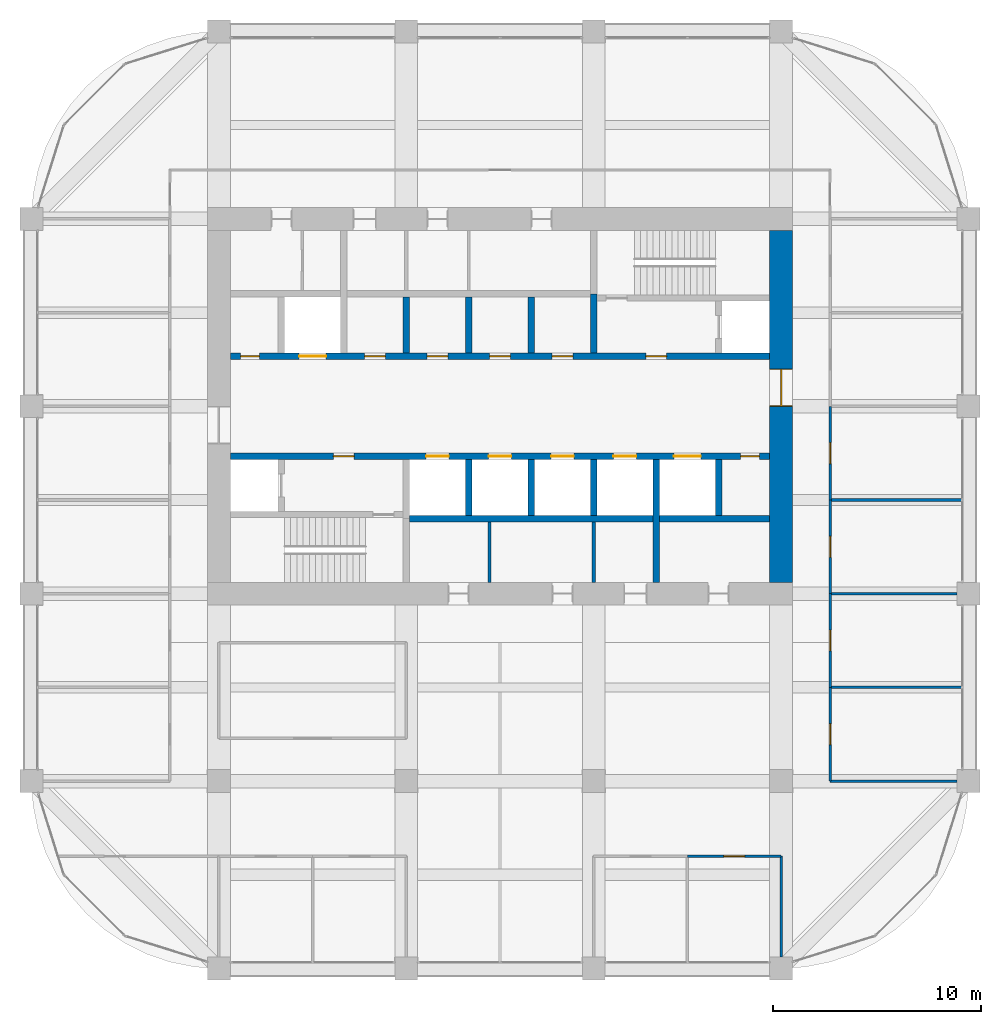
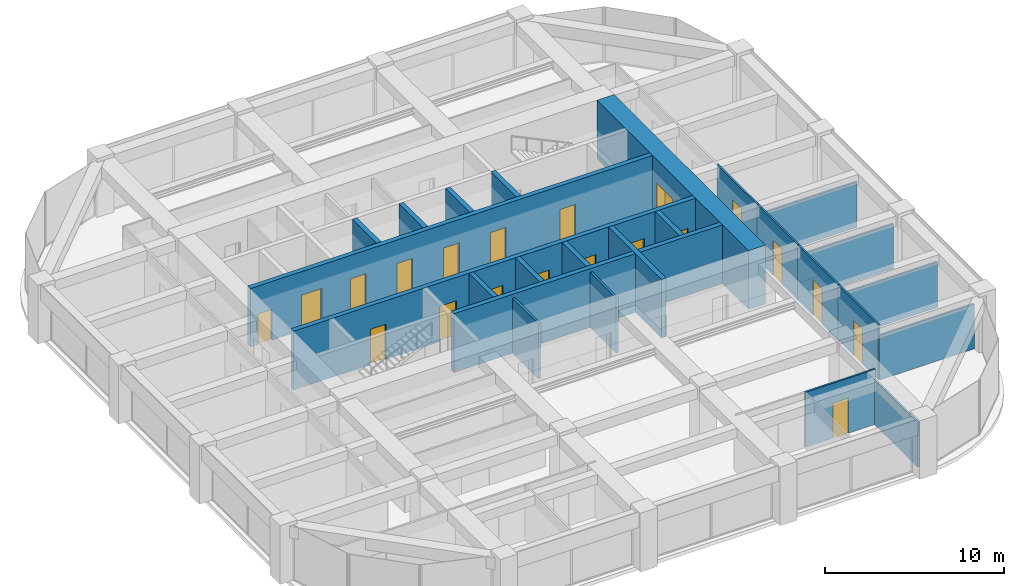
# One storey, part 42 of 44: 25 walls, 20 doors, 20 openings.
"""IFC4 building model written with IfcOpenShell, lengths in metres."""

from ifc_helpers import new_model, si_unit, direction, frame, frame_2d, origin, place, context, subcontext, project, spatial, rectangle, extrude, material, layer, layer_set, type_object, element, fill, save


model = new_model("IFC4")

# Units and contexts
model_context = context("Model", 3, precision=1e-05, world=origin(), true_north=direction((0.0, 1.0)))
body_context = subcontext(model_context, "Body", "Model", "MODEL_VIEW")
ifc_project = project(units=[si_unit("LENGTHUNIT", "METRE"), si_unit("AREAUNIT", "SQUARE_METRE"), si_unit("VOLUMEUNIT", "CUBIC_METRE"), si_unit("PLANEANGLEUNIT", "RADIAN"), si_unit("MASSUNIT", "GRAM", prefix="KILO")], contexts=[model_context])

# Site, building, storey
site_placement = place(None, origin())
site = spatial("IfcSite", under=ifc_project, at=site_placement, CompositionType="ELEMENT")
building_placement = place(site_placement, origin())
building = spatial("IfcBuilding", under=site, at=building_placement, Name="Zorevar Civic Tower", CompositionType="ELEMENT")
storey_placement = place(building_placement, frame((0.0, 0.0, 259.39990234375)))
storey = spatial("IfcBuildingStorey", under=building, at=storey_placement, Name="L63", CompositionType="ELEMENT", Elevation=259.39990234375)

# Wall, opening, door
ifc_material_1 = material(Name="Concrete C50/60", Category="concrete")
ifc_layer_1 = layer(ifc_material_1, 1.10009765625)
ifc_layer_set_1 = layer_set([ifc_layer_1], Name="Core wall 1100")
wall_type_1 = type_object("IfcWallType", Name="Core wall 1100", PredefinedType="SHEAR", material=ifc_layer_set_1)
wall_1_placement = place(storey_placement, frame((45.0, 18.550048828125, 0.0), z_axis=(0.0, 0.0, 1.0), x_axis=(0.0, 1.0, 0.0)))
wall_1 = element("IfcWall", 1, at=wall_1_placement, inside=storey, type_object=wall_type_1, Name="Core wall E L63", PredefinedType="SHEAR", context=body_context, shape_type="SweptSolid", body=[
    extrude(rectangle(XDim=16.89990234375, YDim=1.10009765625, at=frame_2d((8.449951171875, 0.0))), origin(), (0.0, 0.0, 1.0), 4.0),
])
opening_1_placement = place(wall_1_placement, frame((8.449951171875, 0.0, 0.0)))
opening_1 = element("IfcOpeningElement", 2, at=opening_1_placement, cuts=wall_1, Name="Opening L63.02", PredefinedType="OPENING", context=body_context, shape_type="SweptSolid", body=[
    extrude(rectangle(XDim=1.800048828125, YDim=2.39990234375, at=frame_2d((0.89990234375, 1.199951171875))), frame((0.0, 0.56005859375, 0.0), z_axis=(0.0, -1.0, 0.0), x_axis=(1.0, 0.0, 0.0)), (0.0, 0.0, 1.0), 1.1201171875),
])
ifc_material_2 = material(Name="Steel door set", Category="steel")
door_type_1 = type_object("IfcDoorType", Name="Fire door FD2 1800x2400", OperationType="DOUBLE_DOOR_DOUBLE_SWING", PredefinedType="DOOR", material=ifc_material_2)
door_1_placement = place(opening_1_placement, origin())
door_1 = element("IfcDoor", 3, at=door_1_placement, inside=storey, type_object=door_type_1, Name="Door L63 01", OperationType="DOUBLE_DOOR_DOUBLE_SWING", OverallHeight=2.39990234375, OverallWidth=1.800048828125, PredefinedType="DOOR", context=body_context, shape_type="SweptSolid", body=[
    extrude(rectangle(XDim=1.800048828125, YDim=2.39990234375, at=frame_2d((0.89990234375, 1.199951171875))), frame((0.0, 0.030029296875, 0.0), z_axis=(0.0, -1.0, 0.0), x_axis=(1.0, 0.0, 0.0)), (0.0, 0.0, 1.0), 0.06005859375),
    extrude(rectangle(XDim=0.04, YDim=2.39990234375, at=frame_2d((0.02001953125, 1.199951171875))), frame((0.0, 0.5498046875, 0.0), z_axis=(0.0, -1.0, 0.0), x_axis=(1.0, 0.0, 0.0)), (0.0, 0.0, 1.0), 1.099609375),
    extrude(rectangle(XDim=0.04, YDim=2.39990234375, at=frame_2d((1.780029296875, 1.199951171875))), frame((0.0, 0.5498046875, 0.0), z_axis=(0.0, -1.0, 0.0), x_axis=(1.0, 0.0, 0.0)), (0.0, 0.0, 1.0), 1.099609375),
    extrude(rectangle(XDim=1.800048828125, YDim=0.04, at=frame_2d((0.89990234375, 2.3798828125))), frame((0.0, 0.5498046875, 0.0), z_axis=(0.0, -1.0, 0.0), x_axis=(1.0, 0.0, 0.0)), (0.0, 0.0, 1.0), 1.099609375),
])
fill(opening_1, door_1)

# Wall, openings, doors
ifc_material_3 = material(Name="Concrete C40/50", Category="concrete")
ifc_layer_2 = layer(ifc_material_3, 0.300048828125)
ifc_layer_set_2 = layer_set([ifc_layer_2], Name="Inner core wall 300")
wall_type_2 = type_object("IfcWallType", Name="Inner core wall 300", PredefinedType="SHEAR", material=ifc_layer_set_2)
wall_2_placement = place(storey_placement, frame((18.550048828125, 24.60009765625, 0.0), z_axis=(0.0, 0.0, 1.0), x_axis=(1.0, 0.0, 0.0)))
wall_2 = element("IfcWall", 4, at=wall_2_placement, inside=storey, type_object=wall_type_2, Name="Inner core wall S03 L63", PredefinedType="SHEAR", context=body_context, shape_type="SweptSolid", body=[
    extrude(rectangle(XDim=25.89990234375, YDim=0.300048828125, at=frame_2d((12.949951171875, 0.0))), origin(), (0.0, 0.0, 1.0), 4.0),
])
opening_2_placement = place(wall_2_placement, frame((4.949951171875, 0.0, 0.0)))
opening_2 = element("IfcOpeningElement", 5, at=opening_2_placement, cuts=wall_2, Name="Opening L63.13", PredefinedType="OPENING", context=body_context, shape_type="SweptSolid", body=[
    extrude(rectangle(XDim=1.0, YDim=2.39990234375, at=frame_2d((0.5, 1.199951171875))), frame((0.0, 0.159912109375, 0.0), z_axis=(0.0, -1.0, 0.0), x_axis=(1.0, 0.0, 0.0)), (0.0, 0.0, 1.0), 0.320068359375),
])
opening_3_placement = place(wall_2_placement, frame((24.5, 0.0, 0.0)))
opening_3 = element("IfcOpeningElement", 6, at=opening_3_placement, cuts=wall_2, Name="Opening L63.15", PredefinedType="OPENING", context=body_context, shape_type="SweptSolid", body=[
    extrude(rectangle(XDim=0.89990234375, YDim=2.10009765625, at=frame_2d((0.449951171875, 1.050048828125))), frame((0.0, 0.159912109375, 0.0), z_axis=(0.0, -1.0, 0.0), x_axis=(1.0, 0.0, 0.0)), (0.0, 0.0, 1.0), 0.320068359375),
])
opening_4_placement = place(wall_2_placement, frame((9.39990234375, 0.0, 0.0)))
opening_4 = element("IfcOpeningElement", 7, at=opening_4_placement, cuts=wall_2, Name="Opening L63.LT1", PredefinedType="OPENING", context=body_context, shape_type="SweptSolid", body=[
    extrude(rectangle(XDim=1.10009765625, YDim=2.39990234375, at=frame_2d((0.550048828125, 1.199951171875))), frame((0.0, 0.159912109375, 0.0), z_axis=(0.0, -1.0, 0.0), x_axis=(1.0, 0.0, 0.0)), (0.0, 0.0, 1.0), 0.320068359375),
])
opening_5_placement = place(wall_2_placement, frame((12.39990234375, 0.0, 0.0)))
opening_5 = element("IfcOpeningElement", 8, at=opening_5_placement, cuts=wall_2, Name="Opening L63.LT2", PredefinedType="OPENING", context=body_context, shape_type="SweptSolid", body=[
    extrude(rectangle(XDim=1.10009765625, YDim=2.39990234375, at=frame_2d((0.550048828125, 1.199951171875))), frame((0.0, 0.159912109375, 0.0), z_axis=(0.0, -1.0, 0.0), x_axis=(1.0, 0.0, 0.0)), (0.0, 0.0, 1.0), 0.320068359375),
])
opening_6_placement = place(wall_2_placement, frame((15.39990234375, 0.0, 0.0)))
opening_6 = element("IfcOpeningElement", 9, at=opening_6_placement, cuts=wall_2, Name="Opening L63.LT3", PredefinedType="OPENING", context=body_context, shape_type="SweptSolid", body=[
    extrude(rectangle(XDim=1.10009765625, YDim=2.39990234375, at=frame_2d((0.550048828125, 1.199951171875))), frame((0.0, 0.159912109375, 0.0), z_axis=(0.0, -1.0, 0.0), x_axis=(1.0, 0.0, 0.0)), (0.0, 0.0, 1.0), 0.320068359375),
])
opening_7_placement = place(wall_2_placement, frame((18.39990234375, 0.0, 0.0)))
opening_7 = element("IfcOpeningElement", 10, at=opening_7_placement, cuts=wall_2, Name="Opening L63.LT4", PredefinedType="OPENING", context=body_context, shape_type="SweptSolid", body=[
    extrude(rectangle(XDim=1.10009765625, YDim=2.39990234375, at=frame_2d((0.550048828125, 1.199951171875))), frame((0.0, 0.159912109375, 0.0), z_axis=(0.0, -1.0, 0.0), x_axis=(1.0, 0.0, 0.0)), (0.0, 0.0, 1.0), 0.320068359375),
])
opening_8_placement = place(wall_2_placement, frame((21.300048828125, 0.0, 0.0)))
opening_8 = element("IfcOpeningElement", 11, at=opening_8_placement, cuts=wall_2, Name="Opening L63.SL1", PredefinedType="OPENING", context=body_context, shape_type="SweptSolid", body=[
    extrude(rectangle(XDim=1.300048828125, YDim=2.39990234375, at=frame_2d((0.64990234375, 1.199951171875))), frame((0.0, 0.159912109375, 0.0), z_axis=(0.0, -1.0, 0.0), x_axis=(1.0, 0.0, 0.0)), (0.0, 0.0, 1.0), 0.320068359375),
])
ifc_material_4 = material(Name="Steel door set", Category="steel")
door_type_2 = type_object("IfcDoorType", Name="Fire door FD1 1000x2400", OperationType="SINGLE_SWING_LEFT", PredefinedType="DOOR", material=ifc_material_4)
door_2_placement = place(opening_2_placement, origin())
door_2 = element("IfcDoor", 12, at=door_2_placement, inside=storey, type_object=door_type_2, Name="Door L63 12", OperationType="SINGLE_SWING_RIGHT", OverallHeight=2.39990234375, OverallWidth=1.0, PredefinedType="DOOR", context=body_context, shape_type="SweptSolid", body=[
    extrude(rectangle(XDim=1.0, YDim=2.39990234375, at=frame_2d((0.5, 1.199951171875))), frame((0.0, 0.030029296875, 0.0), z_axis=(0.0, -1.0, 0.0), x_axis=(1.0, 0.0, 0.0)), (0.0, 0.0, 1.0), 0.06005859375),
])
fill(opening_2, door_2)
ifc_material_5 = material(Name="Steel door set", Category="steel")
door_type_3 = type_object("IfcDoorType", Name="Landing door LD1 1100x2400", OperationType="DOUBLE_DOOR_SLIDING", PredefinedType="DOOR", material=ifc_material_5)
door_3_placement = place(opening_4_placement, origin())
door_3 = element("IfcDoor", 13, at=door_3_placement, inside=storey, type_object=door_type_3, Name="Landing door LT1 L63", OperationType="DOUBLE_DOOR_SLIDING", OverallHeight=2.39990234375, OverallWidth=1.10009765625, PredefinedType="DOOR", context=body_context, shape_type="SweptSolid", body=[
    extrude(rectangle(XDim=1.10009765625, YDim=2.39990234375, at=frame_2d((0.550048828125, 1.199951171875))), frame((0.0, 0.02001953125, 0.0), z_axis=(0.0, -1.0, 0.0), x_axis=(1.0, 0.0, 0.0)), (0.0, 0.0, 1.0), 0.0400390625),
])
fill(opening_4, door_3)
door_4_placement = place(opening_5_placement, origin())
door_4 = element("IfcDoor", 14, at=door_4_placement, inside=storey, type_object=door_type_3, Name="Landing door LT2 L63", OperationType="DOUBLE_DOOR_SLIDING", OverallHeight=2.39990234375, OverallWidth=1.10009765625, PredefinedType="DOOR", context=body_context, shape_type="SweptSolid", body=[
    extrude(rectangle(XDim=1.10009765625, YDim=2.39990234375, at=frame_2d((0.550048828125, 1.199951171875))), frame((0.0, 0.02001953125, 0.0), z_axis=(0.0, -1.0, 0.0), x_axis=(1.0, 0.0, 0.0)), (0.0, 0.0, 1.0), 0.0400390625),
])
fill(opening_5, door_4)
door_5_placement = place(opening_6_placement, origin())
door_5 = element("IfcDoor", 15, at=door_5_placement, inside=storey, type_object=door_type_3, Name="Landing door LT3 L63", OperationType="DOUBLE_DOOR_SLIDING", OverallHeight=2.39990234375, OverallWidth=1.10009765625, PredefinedType="DOOR", context=body_context, shape_type="SweptSolid", body=[
    extrude(rectangle(XDim=1.10009765625, YDim=2.39990234375, at=frame_2d((0.550048828125, 1.199951171875))), frame((0.0, 0.02001953125, 0.0), z_axis=(0.0, -1.0, 0.0), x_axis=(1.0, 0.0, 0.0)), (0.0, 0.0, 1.0), 0.0400390625),
])
fill(opening_6, door_5)
door_6_placement = place(opening_7_placement, origin())
door_6 = element("IfcDoor", 16, at=door_6_placement, inside=storey, type_object=door_type_3, Name="Landing door LT4 L63", OperationType="DOUBLE_DOOR_SLIDING", OverallHeight=2.39990234375, OverallWidth=1.10009765625, PredefinedType="DOOR", context=body_context, shape_type="SweptSolid", body=[
    extrude(rectangle(XDim=1.10009765625, YDim=2.39990234375, at=frame_2d((0.550048828125, 1.199951171875))), frame((0.0, 0.02001953125, 0.0), z_axis=(0.0, -1.0, 0.0), x_axis=(1.0, 0.0, 0.0)), (0.0, 0.0, 1.0), 0.0400390625),
])
fill(opening_7, door_6)
ifc_material_6 = material(Name="Steel door set", Category="steel")
door_type_4 = type_object("IfcDoorType", Name="Landing door LD2 1300x2400", OperationType="DOUBLE_DOOR_SLIDING", PredefinedType="DOOR", material=ifc_material_6)
door_7_placement = place(opening_8_placement, origin())
door_7 = element("IfcDoor", 17, at=door_7_placement, inside=storey, type_object=door_type_4, Name="Landing door SL1 L63", OperationType="DOUBLE_DOOR_SLIDING", OverallHeight=2.39990234375, OverallWidth=1.300048828125, PredefinedType="DOOR", context=body_context, shape_type="SweptSolid", body=[
    extrude(rectangle(XDim=1.300048828125, YDim=2.39990234375, at=frame_2d((0.64990234375, 1.199951171875))), frame((0.0, 0.02001953125, 0.0), z_axis=(0.0, -1.0, 0.0), x_axis=(1.0, 0.0, 0.0)), (0.0, 0.0, 1.0), 0.0400390625),
])
fill(opening_8, door_7)
ifc_material_7 = material(Name="Steel door set", Category="steel")
door_type_5 = type_object("IfcDoorType", Name="Riser door RD1 900x2100", OperationType="SINGLE_SWING_LEFT", PredefinedType="DOOR", material=ifc_material_7)
door_8_placement = place(opening_3_placement, origin())
door_8 = element("IfcDoor", 18, at=door_8_placement, inside=storey, type_object=door_type_5, Name="Door L63 14", OperationType="SINGLE_SWING_RIGHT", OverallHeight=2.10009765625, OverallWidth=0.89990234375, PredefinedType="DOOR", context=body_context, shape_type="SweptSolid", body=[
    extrude(rectangle(XDim=0.89990234375, YDim=2.10009765625, at=frame_2d((0.449951171875, 1.050048828125))), frame((0.0, 0.030029296875, 0.0), z_axis=(0.0, -1.0, 0.0), x_axis=(1.0, 0.0, 0.0)), (0.0, 0.0, 1.0), 0.06005859375),
])
fill(opening_3, door_8)

wall_3_placement = place(storey_placement, frame((18.550048828125, 29.39990234375, 0.0), z_axis=(0.0, 0.0, 1.0), x_axis=(1.0, 0.0, 0.0)))
wall_3 = element("IfcWall", 19, at=wall_3_placement, inside=storey, type_object=wall_type_2, Name="Inner core wall N03 L63", PredefinedType="SHEAR", context=body_context, shape_type="SweptSolid", body=[
    extrude(rectangle(XDim=25.89990234375, YDim=0.300048828125, at=frame_2d((12.949951171875, 0.0))), origin(), (0.0, 0.0, 1.0), 4.0),
])
opening_9_placement = place(wall_3_placement, frame((19.949951171875, 0.0, 0.0)))
opening_9 = element("IfcOpeningElement", 20, at=opening_9_placement, cuts=wall_3, Name="Opening L63.14", PredefinedType="OPENING", context=body_context, shape_type="SweptSolid", body=[
    extrude(rectangle(XDim=1.0, YDim=2.39990234375, at=frame_2d((0.5, 1.199951171875))), frame((0.0, 0.159912109375, 0.0), z_axis=(0.0, -1.0, 0.0), x_axis=(1.0, 0.0, 0.0)), (0.0, 0.0, 1.0), 0.320068359375),
])
opening_10_placement = place(wall_3_placement, frame((0.5, 0.0, 0.0)))
opening_10 = element("IfcOpeningElement", 21, at=opening_10_placement, cuts=wall_3, Name="Opening L63.16", PredefinedType="OPENING", context=body_context, shape_type="SweptSolid", body=[
    extrude(rectangle(XDim=0.89990234375, YDim=2.10009765625, at=frame_2d((0.449951171875, 1.050048828125))), frame((0.0, 0.159912109375, 0.0), z_axis=(0.0, -1.0, 0.0), x_axis=(1.0, 0.0, 0.0)), (0.0, 0.0, 1.0), 0.320068359375),
])
opening_11_placement = place(wall_3_placement, frame((15.449951171875, 0.0, 0.0)))
opening_11 = element("IfcOpeningElement", 22, at=opening_11_placement, cuts=wall_3, Name="Opening L63.39", PredefinedType="OPENING", context=body_context, shape_type="SweptSolid", body=[
    extrude(rectangle(XDim=1.0, YDim=2.39990234375, at=frame_2d((0.5, 1.199951171875))), frame((0.0, 0.159912109375, 0.0), z_axis=(0.0, -1.0, 0.0), x_axis=(1.0, 0.0, 0.0)), (0.0, 0.0, 1.0), 0.320068359375),
])
opening_12_placement = place(wall_3_placement, frame((12.449951171875, 0.0, 0.0)))
opening_12 = element("IfcOpeningElement", 23, at=opening_12_placement, cuts=wall_3, Name="Opening L63.40", PredefinedType="OPENING", context=body_context, shape_type="SweptSolid", body=[
    extrude(rectangle(XDim=1.0, YDim=2.39990234375, at=frame_2d((0.5, 1.199951171875))), frame((0.0, 0.159912109375, 0.0), z_axis=(0.0, -1.0, 0.0), x_axis=(1.0, 0.0, 0.0)), (0.0, 0.0, 1.0), 0.320068359375),
])
opening_13_placement = place(wall_3_placement, frame((9.449951171875, 0.0, 0.0)))
opening_13 = element("IfcOpeningElement", 24, at=opening_13_placement, cuts=wall_3, Name="Opening L63.41", PredefinedType="OPENING", context=body_context, shape_type="SweptSolid", body=[
    extrude(rectangle(XDim=1.0, YDim=2.39990234375, at=frame_2d((0.5, 1.199951171875))), frame((0.0, 0.159912109375, 0.0), z_axis=(0.0, -1.0, 0.0), x_axis=(1.0, 0.0, 0.0)), (0.0, 0.0, 1.0), 0.320068359375),
])
opening_14_placement = place(wall_3_placement, frame((6.449951171875, 0.0, 0.0)))
opening_14 = element("IfcOpeningElement", 25, at=opening_14_placement, cuts=wall_3, Name="Opening L63.42", PredefinedType="OPENING", context=body_context, shape_type="SweptSolid", body=[
    extrude(rectangle(XDim=1.0, YDim=2.39990234375, at=frame_2d((0.5, 1.199951171875))), frame((0.0, 0.159912109375, 0.0), z_axis=(0.0, -1.0, 0.0), x_axis=(1.0, 0.0, 0.0)), (0.0, 0.0, 1.0), 0.320068359375),
])
opening_15_placement = place(wall_3_placement, frame((3.300048828125, 0.0, 0.0)))
opening_15 = element("IfcOpeningElement", 26, at=opening_15_placement, cuts=wall_3, Name="Opening L63.SL2", PredefinedType="OPENING", context=body_context, shape_type="SweptSolid", body=[
    extrude(rectangle(XDim=1.300048828125, YDim=2.39990234375, at=frame_2d((0.64990234375, 1.199951171875))), frame((0.0, 0.159912109375, 0.0), z_axis=(0.0, -1.0, 0.0), x_axis=(1.0, 0.0, 0.0)), (0.0, 0.0, 1.0), 0.320068359375),
])
door_9_placement = place(opening_9_placement, origin())
door_9 = element("IfcDoor", 27, at=door_9_placement, inside=storey, type_object=door_type_2, Name="Door L63 13", OperationType="SINGLE_SWING_RIGHT", OverallHeight=2.39990234375, OverallWidth=1.0, PredefinedType="DOOR", context=body_context, shape_type="SweptSolid", body=[
    extrude(rectangle(XDim=1.0, YDim=2.39990234375, at=frame_2d((0.5, 1.199951171875))), frame((0.0, 0.030029296875, 0.0), z_axis=(0.0, -1.0, 0.0), x_axis=(1.0, 0.0, 0.0)), (0.0, 0.0, 1.0), 0.06005859375),
])
fill(opening_9, door_9)
door_10_placement = place(opening_11_placement, origin())
door_10 = element("IfcDoor", 28, at=door_10_placement, inside=storey, type_object=door_type_2, Name="Door L63 LM1 shaft room", OperationType="SINGLE_SWING_LEFT", OverallHeight=2.39990234375, OverallWidth=1.0, PredefinedType="DOOR", context=body_context, shape_type="SweptSolid", body=[
    extrude(rectangle(XDim=1.0, YDim=2.39990234375, at=frame_2d((0.5, 1.199951171875))), frame((0.0, 0.030029296875, 0.0), z_axis=(0.0, -1.0, 0.0), x_axis=(1.0, 0.0, 0.0)), (0.0, 0.0, 1.0), 0.06005859375),
])
fill(opening_11, door_10)
door_11_placement = place(opening_12_placement, origin())
door_11 = element("IfcDoor", 29, at=door_11_placement, inside=storey, type_object=door_type_2, Name="Door L63 LM2 shaft room", OperationType="SINGLE_SWING_RIGHT", OverallHeight=2.39990234375, OverallWidth=1.0, PredefinedType="DOOR", context=body_context, shape_type="SweptSolid", body=[
    extrude(rectangle(XDim=1.0, YDim=2.39990234375, at=frame_2d((0.5, 1.199951171875))), frame((0.0, 0.030029296875, 0.0), z_axis=(0.0, -1.0, 0.0), x_axis=(1.0, 0.0, 0.0)), (0.0, 0.0, 1.0), 0.06005859375),
])
fill(opening_12, door_11)
door_12_placement = place(opening_13_placement, origin())
door_12 = element("IfcDoor", 30, at=door_12_placement, inside=storey, type_object=door_type_2, Name="Door L63 LH1 shaft room", OperationType="SINGLE_SWING_RIGHT", OverallHeight=2.39990234375, OverallWidth=1.0, PredefinedType="DOOR", context=body_context, shape_type="SweptSolid", body=[
    extrude(rectangle(XDim=1.0, YDim=2.39990234375, at=frame_2d((0.5, 1.199951171875))), frame((0.0, 0.030029296875, 0.0), z_axis=(0.0, -1.0, 0.0), x_axis=(1.0, 0.0, 0.0)), (0.0, 0.0, 1.0), 0.06005859375),
])
fill(opening_13, door_12)
door_13_placement = place(opening_14_placement, origin())
door_13 = element("IfcDoor", 31, at=door_13_placement, inside=storey, type_object=door_type_2, Name="Door L63 LH2 shaft room", OperationType="SINGLE_SWING_RIGHT", OverallHeight=2.39990234375, OverallWidth=1.0, PredefinedType="DOOR", context=body_context, shape_type="SweptSolid", body=[
    extrude(rectangle(XDim=1.0, YDim=2.39990234375, at=frame_2d((0.5, 1.199951171875))), frame((0.0, 0.030029296875, 0.0), z_axis=(0.0, -1.0, 0.0), x_axis=(1.0, 0.0, 0.0)), (0.0, 0.0, 1.0), 0.06005859375),
])
fill(opening_14, door_13)
door_14_placement = place(opening_15_placement, origin())
door_14 = element("IfcDoor", 32, at=door_14_placement, inside=storey, type_object=door_type_4, Name="Landing door SL2 L63", OperationType="DOUBLE_DOOR_SLIDING", OverallHeight=2.39990234375, OverallWidth=1.300048828125, PredefinedType="DOOR", context=body_context, shape_type="SweptSolid", body=[
    extrude(rectangle(XDim=1.300048828125, YDim=2.39990234375, at=frame_2d((0.64990234375, 1.199951171875))), frame((0.0, 0.02001953125, 0.0), z_axis=(0.0, -1.0, 0.0), x_axis=(1.0, 0.0, 0.0)), (0.0, 0.0, 1.0), 0.0400390625),
])
fill(opening_15, door_14)
door_15_placement = place(opening_10_placement, origin())
door_15 = element("IfcDoor", 33, at=door_15_placement, inside=storey, type_object=door_type_5, Name="Door L63 15", OperationType="SINGLE_SWING_RIGHT", OverallHeight=2.10009765625, OverallWidth=0.89990234375, PredefinedType="DOOR", context=body_context, shape_type="SweptSolid", body=[
    extrude(rectangle(XDim=0.89990234375, YDim=2.10009765625, at=frame_2d((0.449951171875, 1.050048828125))), frame((0.0, 0.030029296875, 0.0), z_axis=(0.0, -1.0, 0.0), x_axis=(1.0, 0.0, 0.0)), (0.0, 0.0, 1.0), 0.06005859375),
])
fill(opening_10, door_15)

# Walls
wall_4_placement = place(storey_placement, frame((27.14990234375, 21.60009765625, 0.0), z_axis=(0.0, 0.0, 1.0), x_axis=(1.0, 0.0, 0.0)))
element("IfcWall", 34, at=wall_4_placement, inside=storey, type_object=wall_type_2, Name="Inner core wall S04 L63", PredefinedType="SHEAR", context=body_context, shape_type="SweptSolid", body=[
    extrude(rectangle(XDim=17.300048828125, YDim=0.300048828125, at=frame_2d((8.64990234375, 0.0))), origin(), (0.0, 0.0, 1.0), 4.0),
])
for number, where, z_axis, x_axis, name in (
    (35, (30.0, 21.75, 0.0), (0.0, 0.0, 1.0), (0.0, 1.0, 0.0), "Inner core wall S05 L63"),
    (36, (33.0, 29.550048828125, 0.0), (0.0, 0.0, 1.0), (0.0, 1.0, 0.0), "Inner core wall N05 L63"),
    (37, (33.0, 21.75, 0.0), (0.0, 0.0, 1.0), (0.0, 1.0, 0.0), "Inner core wall S06 L63"),
    (38, (30.0, 29.550048828125, 0.0), (0.0, 0.0, 1.0), (0.0, 1.0, 0.0), "Inner core wall N06 L63"),
    (39, (36.0, 21.75, 0.0), (0.0, 0.0, 1.0), (0.0, 1.0, 0.0), "Inner core wall S07 L63"),
    (40, (27.0, 29.550048828125, 0.0), (0.0, 0.0, 1.0), (0.0, 1.0, 0.0), "Inner core wall N07 L63"),
):
    element("IfcWall", number, at=place(storey_placement, frame(where, z_axis=z_axis, x_axis=x_axis)), inside=storey, type_object=wall_type_2, Name=name, PredefinedType="SHEAR", context=body_context, shape_type="SweptSolid", body=[
        extrude(rectangle(XDim=2.699951171875, YDim=0.300048828125, at=frame_2d((1.35009765625, 0.0))), origin(), (0.0, 0.0, 1.0), 4.0),
    ])
wall_5_placement = place(storey_placement, frame((39.0, 18.550048828125, 0.0), z_axis=(0.0, 0.0, 1.0), x_axis=(0.0, 1.0, 0.0)))
element("IfcWall", 41, at=wall_5_placement, inside=storey, type_object=wall_type_2, Name="Inner core wall S08 L63", PredefinedType="SHEAR", context=body_context, shape_type="SweptSolid", body=[
    extrude(rectangle(XDim=5.89990234375, YDim=0.300048828125, at=frame_2d((2.949951171875, 0.0))), origin(), (0.0, 0.0, 1.0), 4.0),
])
wall_6_placement = place(storey_placement, frame((42.0, 21.75, 0.0), z_axis=(0.0, 0.0, 1.0), x_axis=(0.0, 1.0, 0.0)))
element("IfcWall", 42, at=wall_6_placement, inside=storey, type_object=wall_type_2, Name="Inner core wall S09 L63", PredefinedType="SHEAR", context=body_context, shape_type="SweptSolid", body=[
    extrude(rectangle(XDim=2.699951171875, YDim=0.300048828125, at=frame_2d((1.35009765625, 0.0))), origin(), (0.0, 0.0, 1.0), 4.0),
])
wall_7_placement = place(storey_placement, frame((36.0, 29.550048828125, 0.0), z_axis=(0.0, 0.0, 1.0), x_axis=(0.0, 1.0, 0.0)))
element("IfcWall", 43, at=wall_7_placement, inside=storey, type_object=wall_type_2, Name="Inner core wall N10 L63", PredefinedType="SHEAR", context=body_context, shape_type="SweptSolid", body=[
    extrude(rectangle(XDim=2.849853515625, YDim=0.300048828125, at=frame_2d((1.4248046875, 0.0))), origin(), (0.0, 0.0, 1.0), 4.0),
])

# Wall, opening, door
ifc_material_8 = material(Name="Gypsum board on steel studs", Category="steel")
ifc_layer_3 = layer(ifc_material_8, 0.1201171875)
ifc_layer_set_3 = layer_set([ifc_layer_3], Name="Partition 120")
wall_type_3 = type_object("IfcWallType", Name="Partition 120", PredefinedType="PARTITIONING", material=ifc_layer_set_3)
wall_8_placement = place(storey_placement, frame((40.5, 5.39990234375, 0.0), z_axis=(0.0, 0.0, 1.0), x_axis=(1.0, 0.0, 0.0)))
wall_8 = element("IfcWall", 44, at=wall_8_placement, inside=storey, type_object=wall_type_3, Name="Partition 120 L63", PredefinedType="PARTITIONING", context=body_context, shape_type="SweptSolid", body=[
    extrude(rectangle(XDim=4.5, YDim=0.1201171875, at=frame_2d((2.25, 0.0))), origin(), (0.0, 0.0, 1.0), 3.75),
])
opening_16_placement = place(wall_8_placement, frame((1.75, 0.0, 0.0)))
opening_16 = element("IfcOpeningElement", 45, at=opening_16_placement, cuts=wall_8, Name="Opening L63.20", PredefinedType="OPENING", context=body_context, shape_type="SweptSolid", body=[
    extrude(rectangle(XDim=1.0, YDim=2.39990234375, at=frame_2d((0.5, 1.199951171875))), frame((0.0, 0.070068359375, 0.0), z_axis=(0.0, -1.0, 0.0), x_axis=(1.0, 0.0, 0.0)), (0.0, 0.0, 1.0), 0.14013671875),
])
ifc_material_9 = material(Name="Timber door set", Category="wood")
door_type_6 = type_object("IfcDoorType", Name="Door D1 1000x2400", OperationType="SINGLE_SWING_LEFT", PredefinedType="DOOR", material=ifc_material_9)
door_16_placement = place(opening_16_placement, origin())
door_16 = element("IfcDoor", 46, at=door_16_placement, inside=storey, type_object=door_type_6, Name="Door L63 D1", OperationType="SINGLE_SWING_LEFT", OverallHeight=2.39990234375, OverallWidth=1.0, PredefinedType="DOOR", context=body_context, shape_type="SweptSolid", body=[
    extrude(rectangle(XDim=1.0, YDim=2.39990234375, at=frame_2d((0.5, 1.199951171875))), frame((0.0, 0.02490234375, 0.0), z_axis=(0.0, -1.0, 0.0), x_axis=(1.0, 0.0, 0.0)), (0.0, 0.0, 1.0), 0.050048828125),
])
fill(opening_16, door_16)

# Walls
wall_9_placement = place(storey_placement, frame((47.35009765625, 9.0, 0.0), z_axis=(0.0, 0.0, 1.0), x_axis=(1.0, 0.0, 0.0)))
element("IfcWall", 47, at=wall_9_placement, inside=storey, type_object=wall_type_3, Name="Partition 120 L63", PredefinedType="PARTITIONING", context=body_context, shape_type="SweptSolid", body=[
    extrude(rectangle(XDim=6.099853515625, YDim=0.1201171875, at=frame_2d((3.0498046875, 0.0))), origin(), (0.0, 0.0, 1.0), 3.050048828125),
])
wall_10_placement = place(storey_placement, frame((47.35009765625, 13.5, 0.0), z_axis=(0.0, 0.0, 1.0), x_axis=(1.0, 0.0, 0.0)))
element("IfcWall", 48, at=wall_10_placement, inside=storey, type_object=wall_type_3, Name="Partition 120 L63", PredefinedType="PARTITIONING", context=body_context, shape_type="SweptSolid", body=[
    extrude(rectangle(XDim=6.33984375, YDim=0.1201171875, at=frame_2d((3.169921875, 0.0))), origin(), (0.0, 0.0, 1.0), 3.10009765625),
])
wall_11_placement = place(storey_placement, frame((47.35009765625, 18.0, 0.0), z_axis=(0.0, 0.0, 1.0), x_axis=(1.0, 0.0, 0.0)))
element("IfcWall", 49, at=wall_11_placement, inside=storey, type_object=wall_type_3, Name="Partition 120 L63", PredefinedType="PARTITIONING", context=body_context, shape_type="SweptSolid", body=[
    extrude(rectangle(XDim=6.099853515625, YDim=0.1201171875, at=frame_2d((3.0498046875, 0.0))), origin(), (0.0, 0.0, 1.0), 3.050048828125),
])
wall_12_placement = place(storey_placement, frame((47.35009765625, 22.5, 0.0), z_axis=(0.0, 0.0, 1.0), x_axis=(1.0, 0.0, 0.0)))
element("IfcWall", 50, at=wall_12_placement, inside=storey, type_object=wall_type_3, Name="Partition 120 L63", PredefinedType="PARTITIONING", context=body_context, shape_type="SweptSolid", body=[
    extrude(rectangle(XDim=6.33984375, YDim=0.1201171875, at=frame_2d((3.169921875, 0.0))), origin(), (0.0, 0.0, 1.0), 3.10009765625),
])
wall_13_placement = place(storey_placement, frame((45.0, 0.550048828125, 0.0), z_axis=(0.0, 0.0, 1.0), x_axis=(0.0, 1.0, 0.0)))
element("IfcWall", 51, at=wall_13_placement, inside=storey, type_object=wall_type_3, Name="Partition 120 L63", PredefinedType="PARTITIONING", context=body_context, shape_type="SweptSolid", body=[
    extrude(rectangle(XDim=4.849853515625, YDim=0.1201171875, at=frame_2d((2.4248046875, 0.0))), origin(), (0.0, 0.0, 1.0), 3.050048828125),
])

# Wall, opening, door
wall_14_placement = place(storey_placement, frame((47.35009765625, 9.0, 0.0), z_axis=(0.0, 0.0, 1.0), x_axis=(0.0, 1.0, 0.0)))
wall_14 = element("IfcWall", 52, at=wall_14_placement, inside=storey, type_object=wall_type_3, Name="Partition 120 L63", PredefinedType="PARTITIONING", context=body_context, shape_type="SweptSolid", body=[
    extrude(rectangle(XDim=4.5, YDim=0.1201171875, at=frame_2d((2.25, 0.0))), origin(), (0.0, 0.0, 1.0), 3.75),
])
opening_17_placement = place(wall_14_placement, frame((1.75, 0.0, 0.0)))
opening_17 = element("IfcOpeningElement", 53, at=opening_17_placement, cuts=wall_14, Name="Opening L63.31", PredefinedType="OPENING", context=body_context, shape_type="SweptSolid", body=[
    extrude(rectangle(XDim=1.0, YDim=2.39990234375, at=frame_2d((0.5, 1.199951171875))), frame((0.0, 0.070068359375, 0.0), z_axis=(0.0, -1.0, 0.0), x_axis=(1.0, 0.0, 0.0)), (0.0, 0.0, 1.0), 0.14013671875),
])
door_17_placement = place(opening_17_placement, origin())
door_17 = element("IfcDoor", 54, at=door_17_placement, inside=storey, type_object=door_type_6, Name="Door L63 D1", OperationType="SINGLE_SWING_LEFT", OverallHeight=2.39990234375, OverallWidth=1.0, PredefinedType="DOOR", context=body_context, shape_type="SweptSolid", body=[
    extrude(rectangle(XDim=1.0, YDim=2.39990234375, at=frame_2d((0.5, 1.199951171875))), frame((0.0, 0.02490234375, 0.0), z_axis=(0.0, -1.0, 0.0), x_axis=(1.0, 0.0, 0.0)), (0.0, 0.0, 1.0), 0.050048828125),
])
fill(opening_17, door_17)

wall_15_placement = place(storey_placement, frame((47.35009765625, 13.5, 0.0), z_axis=(0.0, 0.0, 1.0), x_axis=(0.0, 1.0, 0.0)))
wall_15 = element("IfcWall", 55, at=wall_15_placement, inside=storey, type_object=wall_type_3, Name="Partition 120 L63", PredefinedType="PARTITIONING", context=body_context, shape_type="SweptSolid", body=[
    extrude(rectangle(XDim=4.5, YDim=0.1201171875, at=frame_2d((2.25, 0.0))), origin(), (0.0, 0.0, 1.0), 3.75),
])
opening_18_placement = place(wall_15_placement, frame((1.75, 0.0, 0.0)))
opening_18 = element("IfcOpeningElement", 56, at=opening_18_placement, cuts=wall_15, Name="Opening L63.32", PredefinedType="OPENING", context=body_context, shape_type="SweptSolid", body=[
    extrude(rectangle(XDim=1.0, YDim=2.39990234375, at=frame_2d((0.5, 1.199951171875))), frame((0.0, 0.070068359375, 0.0), z_axis=(0.0, -1.0, 0.0), x_axis=(1.0, 0.0, 0.0)), (0.0, 0.0, 1.0), 0.14013671875),
])
door_18_placement = place(opening_18_placement, origin())
door_18 = element("IfcDoor", 57, at=door_18_placement, inside=storey, type_object=door_type_6, Name="Door L63 D1", OperationType="SINGLE_SWING_RIGHT", OverallHeight=2.39990234375, OverallWidth=1.0, PredefinedType="DOOR", context=body_context, shape_type="SweptSolid", body=[
    extrude(rectangle(XDim=1.0, YDim=2.39990234375, at=frame_2d((0.5, 1.199951171875))), frame((0.0, 0.02490234375, 0.0), z_axis=(0.0, -1.0, 0.0), x_axis=(1.0, 0.0, 0.0)), (0.0, 0.0, 1.0), 0.050048828125),
])
fill(opening_18, door_18)

wall_16_placement = place(storey_placement, frame((47.35009765625, 18.0, 0.0), z_axis=(0.0, 0.0, 1.0), x_axis=(0.0, 1.0, 0.0)))
wall_16 = element("IfcWall", 58, at=wall_16_placement, inside=storey, type_object=wall_type_3, Name="Partition 120 L63", PredefinedType="PARTITIONING", context=body_context, shape_type="SweptSolid", body=[
    extrude(rectangle(XDim=4.5, YDim=0.1201171875, at=frame_2d((2.25, 0.0))), origin(), (0.0, 0.0, 1.0), 3.75),
])
opening_19_placement = place(wall_16_placement, frame((1.75, 0.0, 0.0)))
opening_19 = element("IfcOpeningElement", 59, at=opening_19_placement, cuts=wall_16, Name="Opening L63.33", PredefinedType="OPENING", context=body_context, shape_type="SweptSolid", body=[
    extrude(rectangle(XDim=1.0, YDim=2.39990234375, at=frame_2d((0.5, 1.199951171875))), frame((0.0, 0.070068359375, 0.0), z_axis=(0.0, -1.0, 0.0), x_axis=(1.0, 0.0, 0.0)), (0.0, 0.0, 1.0), 0.14013671875),
])
door_19_placement = place(opening_19_placement, origin())
door_19 = element("IfcDoor", 60, at=door_19_placement, inside=storey, type_object=door_type_6, Name="Door L63 D1", OperationType="SINGLE_SWING_RIGHT", OverallHeight=2.39990234375, OverallWidth=1.0, PredefinedType="DOOR", context=body_context, shape_type="SweptSolid", body=[
    extrude(rectangle(XDim=1.0, YDim=2.39990234375, at=frame_2d((0.5, 1.199951171875))), frame((0.0, 0.02490234375, 0.0), z_axis=(0.0, -1.0, 0.0), x_axis=(1.0, 0.0, 0.0)), (0.0, 0.0, 1.0), 0.050048828125),
])
fill(opening_19, door_19)

wall_17_placement = place(storey_placement, frame((47.35009765625, 22.5, 0.0), z_axis=(0.0, 0.0, 1.0), x_axis=(0.0, 1.0, 0.0)))
wall_17 = element("IfcWall", 61, at=wall_17_placement, inside=storey, type_object=wall_type_3, Name="Partition 120 L63", PredefinedType="PARTITIONING", context=body_context, shape_type="SweptSolid", body=[
    extrude(rectangle(XDim=4.5, YDim=0.1201171875, at=frame_2d((2.25, 0.0))), origin(), (0.0, 0.0, 1.0), 3.75),
])
opening_20_placement = place(wall_17_placement, frame((1.75, 0.0, 0.0)))
opening_20 = element("IfcOpeningElement", 62, at=opening_20_placement, cuts=wall_17, Name="Opening L63.34", PredefinedType="OPENING", context=body_context, shape_type="SweptSolid", body=[
    extrude(rectangle(XDim=1.0, YDim=2.39990234375, at=frame_2d((0.5, 1.199951171875))), frame((0.0, 0.070068359375, 0.0), z_axis=(0.0, -1.0, 0.0), x_axis=(1.0, 0.0, 0.0)), (0.0, 0.0, 1.0), 0.14013671875),
])
door_20_placement = place(opening_20_placement, origin())
door_20 = element("IfcDoor", 63, at=door_20_placement, inside=storey, type_object=door_type_6, Name="Door L63 D1", OperationType="SINGLE_SWING_RIGHT", OverallHeight=2.39990234375, OverallWidth=1.0, PredefinedType="DOOR", context=body_context, shape_type="SweptSolid", body=[
    extrude(rectangle(XDim=1.0, YDim=2.39990234375, at=frame_2d((0.5, 1.199951171875))), frame((0.0, 0.02490234375, 0.0), z_axis=(0.0, -1.0, 0.0), x_axis=(1.0, 0.0, 0.0)), (0.0, 0.0, 1.0), 0.050048828125),
])
fill(opening_20, door_20)

# Walls
ifc_material_10 = material(Name="Gypsum board on steel studs, moisture resistant", Category="steel")
ifc_layer_4 = layer(ifc_material_10, 0.14990234375)
ifc_layer_set_4 = layer_set([ifc_layer_4], Name="WC partition 150")
wall_type_4 = type_object("IfcWallType", Name="WC partition 150", PredefinedType="PARTITIONING", material=ifc_layer_set_4)
for number, where, z_axis, x_axis, name in (
    (64, (31.0, 18.550048828125, 0.0), (0.0, 0.0, 1.0), (0.0, 1.0, 0.0), "WC partition L63"),
    (65, (36.0, 18.550048828125, 0.0), (0.0, 0.0, 1.0), (0.0, 1.0, 0.0), "WC partition L63"),
):
    element("IfcWall", number, at=place(storey_placement, frame(where, z_axis=z_axis, x_axis=x_axis)), inside=storey, type_object=wall_type_4, Name=name, PredefinedType="PARTITIONING", context=body_context, shape_type="SweptSolid", body=[
        extrude(rectangle(XDim=2.89990234375, YDim=0.14990234375, at=frame_2d((1.449951171875, 0.0))), origin(), (0.0, 0.0, 1.0), 3.75),
    ])

save(model, "model.ifc")
